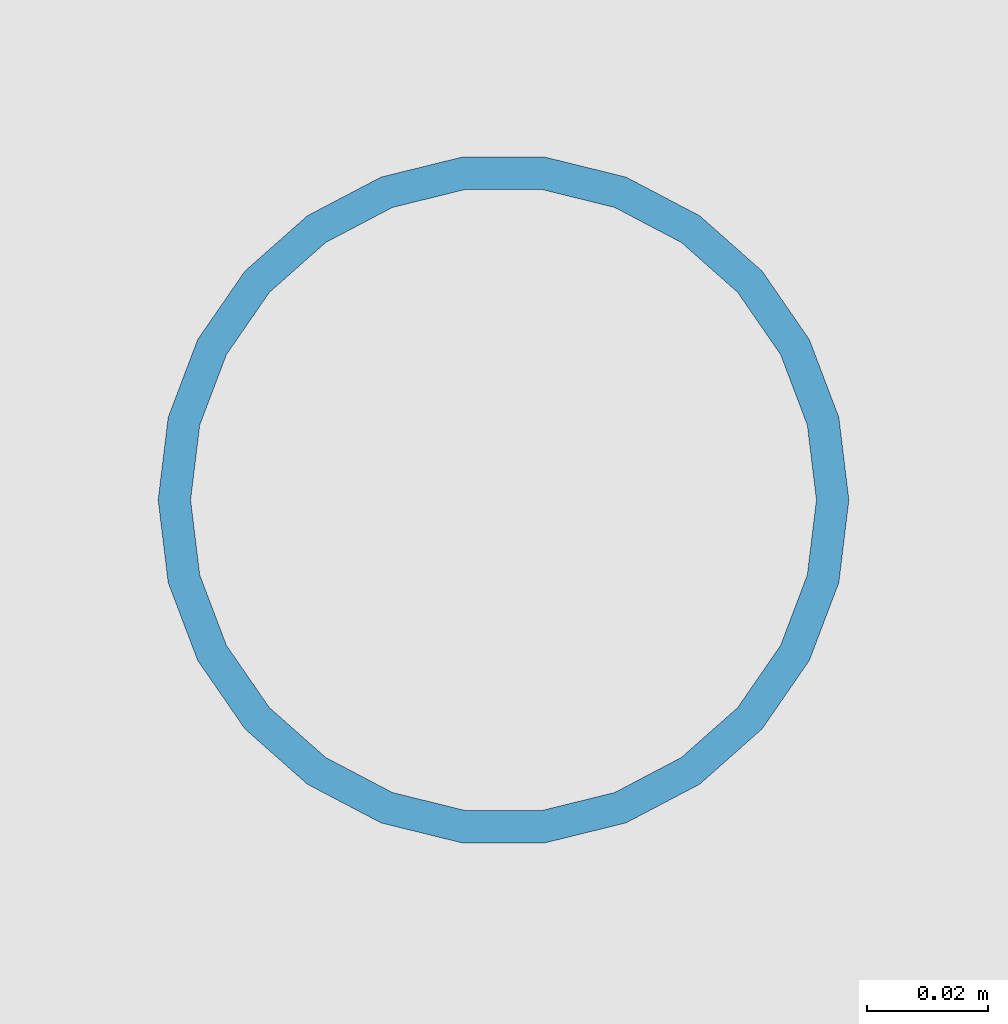
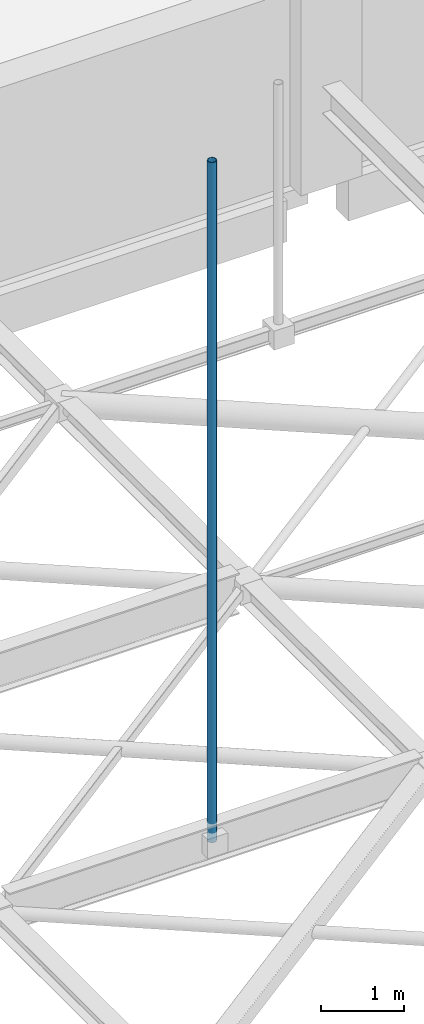
# One storey, part 43 of 93: 1 member.
"""IFC4 building model written with IfcOpenShell, lengths in metres."""

from ifc_helpers import new_model, si_unit, direction, frame, origin, origin_2d, place, context, subcontext, project, spatial, hollow_circle, extrude, material, material_profile, profile_set, type_object, element, save


model = new_model("IFC4")

# Units and contexts
model_context = context("Model", 3, precision=1e-05, world=origin(), true_north=direction((0.0, 1.0)))
body_context = subcontext(model_context, "Body", "Model", "MODEL_VIEW")
ifc_project = project(units=[si_unit("LENGTHUNIT", "METRE"), si_unit("AREAUNIT", "SQUARE_METRE"), si_unit("VOLUMEUNIT", "CUBIC_METRE"), si_unit("PLANEANGLEUNIT", "RADIAN"), si_unit("MASSUNIT", "GRAM", prefix="KILO")], contexts=[model_context])

# Site, building, storey
site_placement = place(None, origin())
site = spatial("IfcSite", under=ifc_project, at=site_placement, CompositionType="ELEMENT")
building_placement = place(site_placement, origin())
building = spatial("IfcBuilding", under=site, at=building_placement, Name="Varnakota Cinema and Media Centre", CompositionType="ELEMENT")
storey_placement = place(building_placement, frame((0.0, 0.0, 12.0)))
storey = spatial("IfcBuildingStorey", under=building, at=storey_placement, Name="L03", CompositionType="ELEMENT", Elevation=12.0)

# Member
ifc_material = material(Name="Structural steel S355 (YSt 355)", Category="steel")
ifc_material_profile = material_profile(ifc_material, hollow_circle(Radius=0.05712890625, WallThickness=0.00537109375, at=origin_2d()), Name="CHS 114.3x5.4")
ifc_profile_set = profile_set([ifc_material_profile], Name="Structural steel S355 (YSt 355)")
member_type = type_object("IfcMemberType", Name="MEM-ST-CHS114_3x5_4", PredefinedType="BRACE", material=ifc_profile_set)
member_placement = place(storey_placement, frame((108.0, 22.0, 1.300048828125), z_axis=(0.0, 0.0, 1.0), x_axis=(1.0, 0.0, 0.0)))
element("IfcMember", 1, at=member_placement, inside=storey, type_object=member_type, Name="V1 rigging hanger 6.3", PredefinedType="BRACE", context=body_context, shape_type="SweptSolid", body=[
    extrude(hollow_circle(Radius=0.05712890625, WallThickness=0.00537109375, at=origin_2d()), origin(), (0.0, 0.0, 1.0), 9.949951171875),
])

save(model, "model.ifc")
